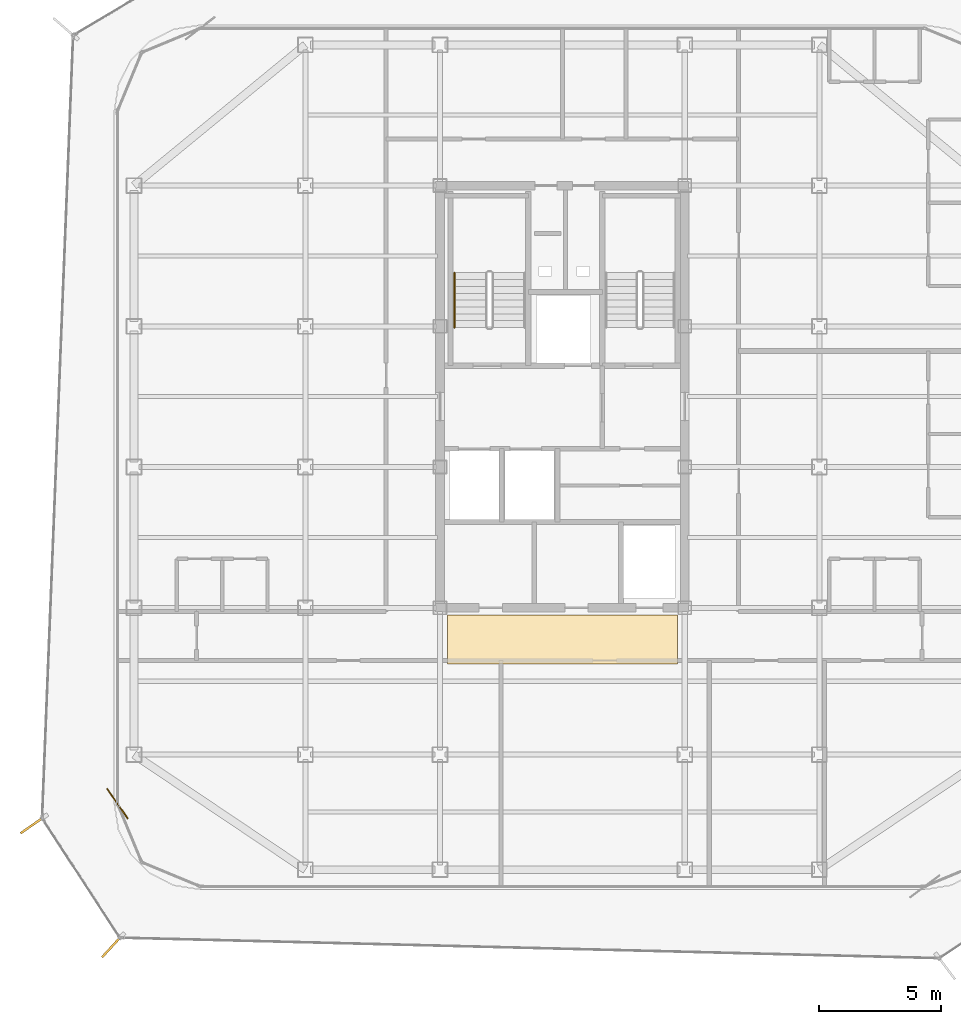
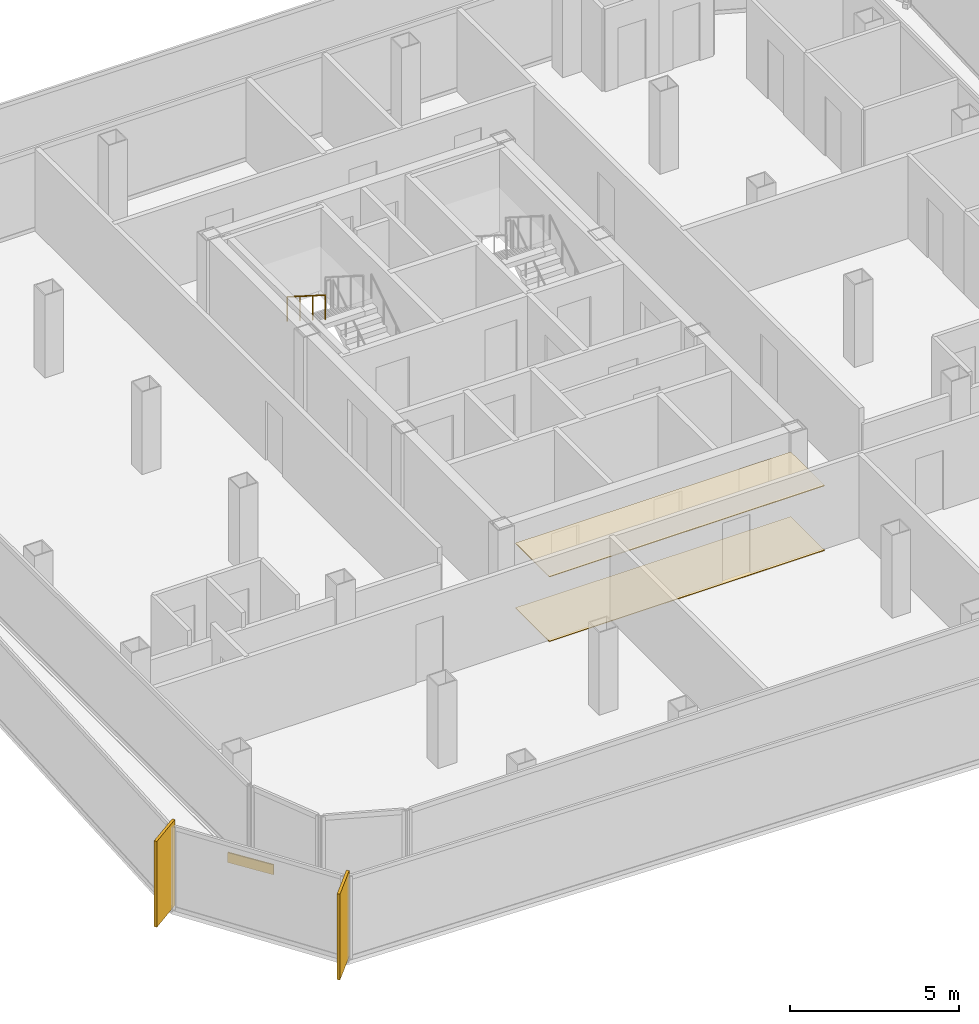
# One storey, part 13 of 15: 3 coverings, 2 shading devices, 1 railing.
"""IFC4 building model written with IfcOpenShell, lengths in metres."""

from ifc_helpers import new_model, si_unit, direction, frame, origin, origin_2d, place, context, subcontext, project, spatial, polyline, rectangle, circle, outline, extrude, source, transform, mapped, material, layer, layer_set, type_object, element, save


model = new_model("IFC4")

# Units and contexts
model_context = context("Model", 3, precision=1e-05, world=origin(), true_north=direction((0.0, 1.0)))
body_context = subcontext(model_context, "Body", "Model", "MODEL_VIEW")
ifc_project = project(units=[si_unit("LENGTHUNIT", "METRE"), si_unit("AREAUNIT", "SQUARE_METRE"), si_unit("VOLUMEUNIT", "CUBIC_METRE"), si_unit("PLANEANGLEUNIT", "RADIAN"), si_unit("MASSUNIT", "GRAM", prefix="KILO")], contexts=[model_context])

# Site, building, storey
site_placement = place(None, origin())
site = spatial("IfcSite", under=ifc_project, at=site_placement, CompositionType="ELEMENT")
building_placement = place(site_placement, origin())
building = spatial("IfcBuilding", under=site, at=building_placement, Name="Kolveth Station Tower", CompositionType="ELEMENT")
storey_placement = place(building_placement, frame((0.0, 0.0, 268.10009765625)))
storey = spatial("IfcBuildingStorey", under=building, at=storey_placement, Name="L77", CompositionType="ELEMENT", Elevation=268.10009765625)

# Coverings
ifc_material_1 = material(Name="Acoustic mineral-fibre ceiling tile")
ifc_layer_1 = layer(ifc_material_1, 0.02490234375)
ifc_layer_set_1 = layer_set([ifc_layer_1], Name="Acoustic mineral-fibre ceiling tile")
covering_type_1 = type_object("IfcCoveringType", Name="Ceil_CL1", PredefinedType="CEILING", material=ifc_layer_set_1)
covering_1_placement = place(storey_placement, frame((0.0, 0.0, 2.329833984375)))
element("IfcCovering", 1, at=covering_1_placement, inside=storey, type_object=covering_type_1, Name="L77 Lift Lobby Suspended Ceiling", PredefinedType="CEILING", context=body_context, shape_type="SweptSolid", body=[
    extrude(outline(polyline([(18.800048828125, 9.199951171875), (28.199951171875, 9.199951171875), (28.199951171875, 11.199951171875), (18.800048828125, 11.199951171875), (18.800048828125, 9.199951171875)])), origin(), (0.0, 0.0, 1.0), 0.025146484375),
])
ifc_material_2 = material(Name="Honed terrazzo flooring")
ifc_layer_2 = layer(ifc_material_2, 0.02001953125)
ifc_layer_set_2 = layer_set([ifc_layer_2], Name="Honed terrazzo flooring")
covering_type_2 = type_object("IfcCoveringType", Name="Floor_FL1", PredefinedType="FLOORING", material=ifc_layer_set_2)
covering_2_placement = place(storey_placement, origin())
element("IfcCovering", 2, at=covering_2_placement, inside=storey, type_object=covering_type_2, Name="L77 Lift Lobby Floor Finish", PredefinedType="FLOORING", context=body_context, shape_type="SweptSolid", body=[
    extrude(outline(polyline([(18.800048828125, 9.199951171875), (28.199951171875, 9.199951171875), (28.199951171875, 11.199951171875), (18.800048828125, 11.199951171875), (18.800048828125, 9.199951171875)])), origin(), (0.0, 0.0, 1.0), 0.02001953125),
])

# Railing
ifc_material_3 = material(Name="Brushed stainless steel", Category="steel")
railing_type = type_object("IfcRailingType", Name="Handrail_HR1", PredefinedType="HANDRAIL", material=ifc_material_3)
railing_placement = place(storey_placement, frame((19.090087890625, 25.18994140625, 1.777587890625)))
element("IfcRailing", 3, at=railing_placement, inside=storey, type_object=railing_type, Name="L77 ST1 stair handrail 2", PredefinedType="HANDRAIL", context=body_context, shape_type="SweptSolid", body=[
    extrude(circle(Radius=0.02392578125, at=origin_2d()), frame((0.0, 0.0, 0.8759765625), z_axis=(0.0, -0.84418770128, 0.536047689118), x_axis=(1.0, 0.0, 0.0)), (0.0, 0.0, 1.0), 2.6533203125),
    extrude(circle(Radius=0.02099609375, at=origin_2d()), origin(), (0.0, 0.0, 1.0), 0.851806640625),
    extrude(circle(Radius=0.02099609375, at=origin_2d()), frame((0.0, -0.74658203125, 0.47412109375)), (0.0, 0.0, 1.0), 0.851806640625),
    extrude(circle(Radius=0.02099609375, at=origin_2d()), frame((0.0, -1.493408203125, 0.9482421875)), (0.0, 0.0, 1.0), 0.851806640625),
    extrude(circle(Radius=0.02099609375, at=origin_2d()), frame((0.0, -2.239990234375, 1.42236328125)), (0.0, 0.0, 1.0), 0.851806640625),
])

# Shading devices
ifc_material_4 = material(Name="Black anodized aluminium 6063-T6", Category="aluminium")
shading_device_type = type_object("IfcShadingDeviceType", Name="FIN_VF1", PredefinedType="USERDEFINED", material=ifc_material_4)
shared_shape_1 = source(origin(), body_context, "Body", "SweptSolid", [
    extrude(rectangle(XDim=1.25, YDim=0.090087890625, at=origin_2d()), origin(), (0.0, 0.0, 1.0), 3.10009765625),
])
for number, where, z_axis, x_axis, name in (
    (4, (1.87890625, 2.64697265625, -0.000244140625), (0.0, 0.0, 1.0), (-0.821547442226, -0.570140158358, 0.0), "L77 Dark-Aluminium Solar Fin 7"),
    (5, (5.115966796875, -2.31396484375, -0.000244140625), (0.0, 0.0, 1.0), (-0.677389697402, -0.735624359204, 0.0), "L77 Dark-Aluminium Solar Fin 8"),
):
    element("IfcShadingDevice", number, at=place(storey_placement, frame(where, z_axis=z_axis, x_axis=x_axis)), inside=storey, type_object=shading_device_type, Name=name, ObjectType="FIN", PredefinedType="USERDEFINED", context=body_context, shape_type="MappedRepresentation", body=[
        mapped(shared_shape_1, transform((0.0, 0.0, 0.0), x_axis=(1.0, 0.0, 0.0), y_axis=(0.0, 1.0, 0.0), z_axis=(0.0, 0.0, 1.0), scale=1.0)),
    ])

# Covering
ifc_material_5 = material(Name="Charcoal anodized aluminium spandrel cladding", Category="aluminium")
ifc_layer_3 = layer(ifc_material_5, 0.044921875)
ifc_layer_set_3 = layer_set([ifc_layer_3], Name="Charcoal anodized aluminium spandrel cladding")
covering_type_3 = type_object("IfcCoveringType", Name="Clad_CD1", PredefinedType="CLADDING", material=ifc_layer_set_3)
shared_shape_2 = source(origin(), body_context, "Body", "SweptSolid", [
    extrude(rectangle(XDim=1.5, YDim=0.044921875, at=origin_2d()), origin(), (0.0, 0.0, 1.0), 0.360107421875),
])
covering_3_placement = place(storey_placement, frame((5.320068359375, 3.5, 0.0), z_axis=(0.0, 0.0, 1.0), x_axis=(0.570140158358, -0.821547442226, 0.0)))
element("IfcCovering", 6, at=covering_3_placement, inside=storey, type_object=covering_type_3, Name="L77 Spandrel Edge Cladding 7", PredefinedType="CLADDING", context=body_context, shape_type="MappedRepresentation", body=[
    mapped(shared_shape_2, transform((0.0, 0.0, 0.0), x_axis=(1.0, 0.0, 0.0), y_axis=(0.0, 1.0, 0.0), z_axis=(0.0, 0.0, 1.0), scale=1.0)),
])

save(model, "model.ifc")
